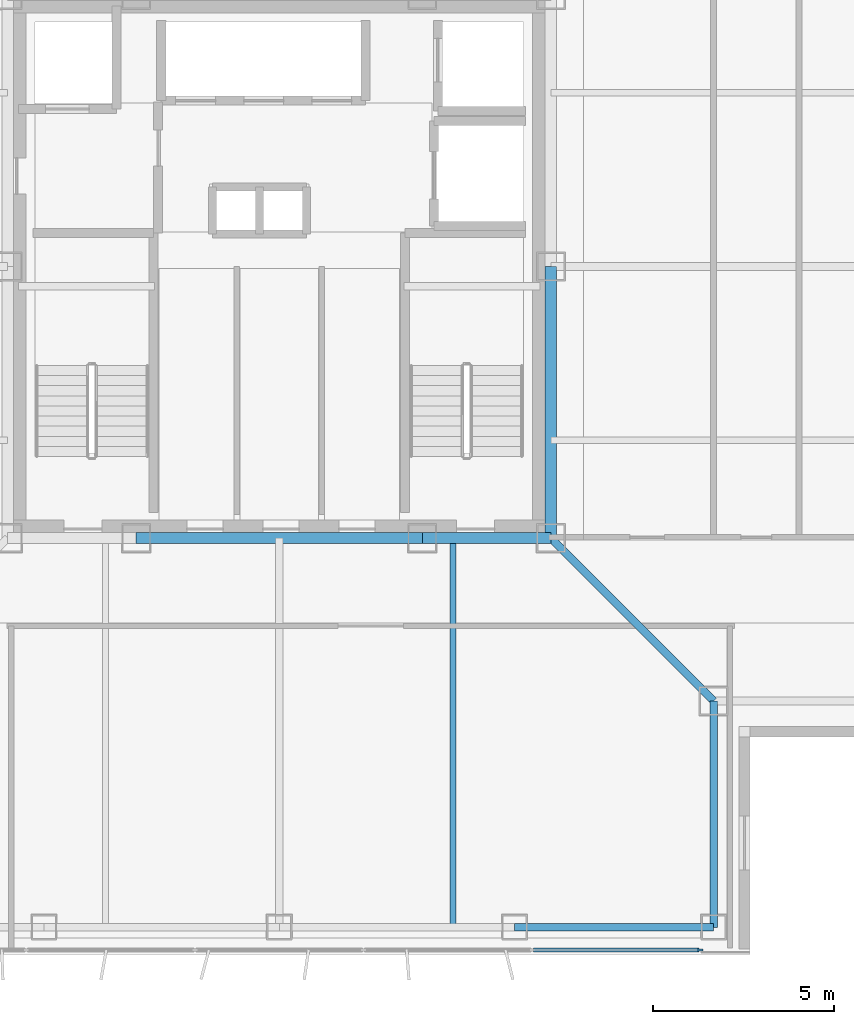
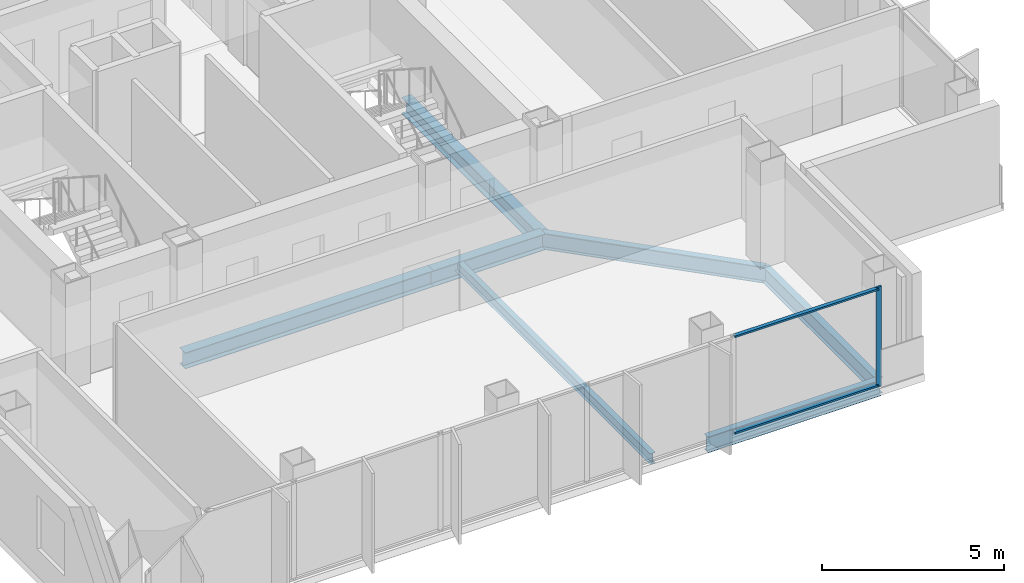
# One storey, part 3 of 15: 7 beams, 3 members, 1 element without a shape of its own.
"""IFC4 building model written with IfcOpenShell, lengths in metres."""

from ifc_helpers import new_model, si_unit, direction, frame, origin, origin_2d, place, context, subcontext, project, spatial, rectangle, i_section, extrude, material, layer, layer_set, material_profile, profile_set, type_object, element, aggregate, save


model = new_model("IFC4")

# Units and contexts
model_context = context("Model", 3, precision=1e-05, world=origin(), true_north=direction((0.0, 1.0)))
body_context = subcontext(model_context, "Body", "Model", "MODEL_VIEW")
ifc_project = project(units=[si_unit("LENGTHUNIT", "METRE"), si_unit("AREAUNIT", "SQUARE_METRE"), si_unit("VOLUMEUNIT", "CUBIC_METRE"), si_unit("PLANEANGLEUNIT", "RADIAN"), si_unit("MASSUNIT", "GRAM", prefix="KILO")], contexts=[model_context])

# Site, building, storey
site_placement = place(None, origin())
site = spatial("IfcSite", under=ifc_project, at=site_placement, CompositionType="ELEMENT")
building_placement = place(site_placement, origin())
building = spatial("IfcBuilding", under=site, at=building_placement, Name="Trevonay Congress Spire", CompositionType="ELEMENT")
storey_placement = place(building_placement, frame((0.0, 0.0, 250.39990234375)))
storey = spatial("IfcBuildingStorey", under=building, at=storey_placement, Name="L65", CompositionType="ELEMENT", Elevation=250.39990234375)

# Beams
ifc_material_1 = material(Name="Steel ASTM A572 Grade 50", Category="steel")
ifc_material_profile_1 = material_profile(ifc_material_1, i_section(OverallWidth=0.2119140625, OverallDepth=0.5439453125, WebThickness=0.01318359375, FlangeThickness=0.021240234375, FilletRadius=0.014892578125, at=origin_2d()), Name="W530x123")
ifc_profile_set_1 = profile_set([ifc_material_profile_1], Name="Steel ASTM A572 Grade 50")
beam_type_1 = type_object("IfcBeamType", Name="BM-GIRD-W530X123", PredefinedType="BEAM", material=ifc_profile_set_1)
beam_1_placement = place(storey_placement, frame((7.5, -7.5, -0.511962890625), z_axis=(0.707106781187, -0.707106781187, 0.0), x_axis=(0.707106781187, 0.707106781187, 0.0)))
element("IfcBeam", 1, at=beam_1_placement, inside=storey, type_object=beam_type_1, Name="L65 structural beam BM-L65-CDSE", PredefinedType="BEAM", context=body_context, shape_type="SweptSolid", body=[
    extrude(i_section(OverallWidth=0.2119140625, OverallDepth=0.5439453125, WebThickness=0.01318359375, FlangeThickness=0.021240234375, FilletRadius=0.014892578125, at=origin_2d()), origin(), (0.0, 0.0, 1.0), 6.364013671875),
])
ifc_material_profile_2 = material_profile(ifc_material_1, i_section(OverallWidth=0.31201171875, OverallDepth=0.54296875, WebThickness=0.0126953125, FlangeThickness=0.020263671875, FilletRadius=0.014892578125, at=origin_2d()), Name="W530x150")
ifc_profile_set_2 = profile_set([ifc_material_profile_2], Name="Steel ASTM A572 Grade 50")
beam_type_2 = type_object("IfcBeamType", Name="BM-GIRD-W530X150", PredefinedType="BEAM", material=ifc_profile_set_2)
beam_2_placement = place(storey_placement, frame((-3.949951171875, -7.5, -0.511474609375), z_axis=(1.0, 0.0, 0.0), x_axis=(0.0, 1.0, 0.0)))
element("IfcBeam", 2, at=beam_2_placement, inside=storey, type_object=beam_type_2, Name="L65 structural beam BM-L65-CR-S2", PredefinedType="BEAM", context=body_context, shape_type="SweptSolid", body=[
    extrude(i_section(OverallWidth=0.31201171875, OverallDepth=0.54296875, WebThickness=0.0126953125, FlangeThickness=0.020263671875, FilletRadius=0.014892578125, at=origin_2d()), origin(), (0.0, 0.0, 1.0), 7.89990234375),
])
beam_3_placement = place(storey_placement, frame((3.949951171875, -7.5, -0.511474609375), z_axis=(1.0, 0.0, 0.0), x_axis=(0.0, 1.0, 0.0)))
element("IfcBeam", 3, at=beam_3_placement, inside=storey, type_object=beam_type_2, Name="L65 structural beam BM-L65-CR-S3", PredefinedType="BEAM", context=body_context, shape_type="SweptSolid", body=[
    extrude(i_section(OverallWidth=0.31201171875, OverallDepth=0.54296875, WebThickness=0.0126953125, FlangeThickness=0.020263671875, FilletRadius=0.014892578125, at=origin_2d()), origin(), (0.0, 0.0, 1.0), 3.550048828125),
])
beam_4_placement = place(storey_placement, frame((7.5, -7.5, -0.511474609375), z_axis=(0.0, 1.0, 0.0), x_axis=(-1.0, 0.0, 0.0)))
element("IfcBeam", 4, at=beam_4_placement, inside=storey, type_object=beam_type_2, Name="L65 structural beam BM-L65-CR-E1", PredefinedType="BEAM", context=body_context, shape_type="SweptSolid", body=[
    extrude(i_section(OverallWidth=0.31201171875, OverallDepth=0.54296875, WebThickness=0.0126953125, FlangeThickness=0.020263671875, FilletRadius=0.014892578125, at=origin_2d()), origin(), (0.0, 0.0, 1.0), 7.5),
])
ifc_material_profile_3 = material_profile(ifc_material_1, i_section(OverallWidth=0.208984375, OverallDepth=0.532958984375, WebThickness=0.01025390625, FlangeThickness=0.015625, FilletRadius=0.014892578125, at=origin_2d()), Name="W530x92")
ifc_profile_set_3 = profile_set([ifc_material_profile_3], Name="Steel ASTM A572 Grade 50")
beam_type_3 = type_object("IfcBeamType", Name="BM-RING-W530X92", PredefinedType="BEAM", material=ifc_profile_set_3)
beam_5_placement = place(storey_placement, frame((6.5, -18.25, -0.50634765625), z_axis=(1.0, 0.0, 0.0), x_axis=(0.0, 1.0, 0.0)))
element("IfcBeam", 5, at=beam_5_placement, inside=storey, type_object=beam_type_3, Name="L65 structural beam BM-L65-PS4", PredefinedType="BEAM", context=body_context, shape_type="SweptSolid", body=[
    extrude(i_section(OverallWidth=0.208984375, OverallDepth=0.532958984375, WebThickness=0.01025390625, FlangeThickness=0.015625, FilletRadius=0.014892578125, at=origin_2d()), origin(), (0.0, 0.0, 1.0), 5.5),
])
beam_6_placement = place(storey_placement, frame((12.0, -18.25, -0.50634765625), z_axis=(0.0, 1.0, 0.0), x_axis=(-1.0, 0.0, 0.0)))
element("IfcBeam", 6, at=beam_6_placement, inside=storey, type_object=beam_type_3, Name="L65 structural beam BM-L65-N1SE", PredefinedType="BEAM", context=body_context, shape_type="SweptSolid", body=[
    extrude(i_section(OverallWidth=0.208984375, OverallDepth=0.532958984375, WebThickness=0.01025390625, FlangeThickness=0.015625, FilletRadius=0.014892578125, at=origin_2d()), origin(), (0.0, 0.0, 1.0), 6.25),
])

# Curtain wall, members
ifc_material_2 = material(Name="Pale Anodised Aluminium EN AW-6063-T6", Category="aluminium")
ifc_layer = layer(ifc_material_2, 0.1650390625, Name="Pale Anodised Aluminium EN AW-6063-T6")
ifc_layer_set = layer_set([ifc_layer], Name="Pale Anodised Aluminium EN AW-6063-T6")
curtain_wall_type = type_object("IfcCurtainWallType", Name="CW-SYS05-DIPLOM-PALE-METAL", PredefinedType="NOTDEFINED", material=ifc_layer_set)
curtain_wall_placement = place(storey_placement, origin())
curtain_wall = element("IfcCurtainWall", 7, at=curtain_wall_placement, inside=storey, type_object=curtain_wall_type, Name="L65 S unitised curtain wall", PredefinedType="NOTDEFINED")
ifc_material_profile_4 = material_profile(ifc_material_2, rectangle(XDim=0.06005859375, YDim=0.159912109375, at=origin_2d()), Name="CW-MULLION-160-ALUMINIUM")
ifc_profile_set_4 = profile_set([ifc_material_profile_4], Name="Pale Anodised Aluminium EN AW-6063-T6")
member_type_1 = type_object("IfcMemberType", Name="CW-MULLION-160-ALUMINIUM", PredefinedType="MULLION", material=ifc_profile_set_4)
member_1_placement = place(storey_placement, frame((11.6201171875, -18.8798828125, 0.0), z_axis=(0.0, 0.0, 1.0), x_axis=(0.0, 1.0, 0.0)))
member_1 = element("IfcMember", 8, at=member_1_placement, type_object=member_type_1, Name="CW05 mullion 6", PredefinedType="MULLION", context=body_context, shape_type="SweptSolid", body=[
    extrude(rectangle(XDim=0.06005859375, YDim=0.159912109375, at=origin_2d()), origin(), (0.0, 0.0, 1.0), 3.360107421875),
])
ifc_material_profile_5 = material_profile(ifc_material_2, rectangle(XDim=0.1201171875, YDim=0.06005859375, at=origin_2d()), Name="CW-TRANSOM-120-ALUMINIUM")
ifc_profile_set_5 = profile_set([ifc_material_profile_5], Name="Pale Anodised Aluminium EN AW-6063-T6")
member_type_2 = type_object("IfcMemberType", Name="CW-TRANSOM-120-ALUMINIUM", PredefinedType="USERDEFINED", material=ifc_profile_set_5)
member_2_placement = place(storey_placement, frame((7.02001953125, -18.8798828125, 0.06005859375), z_axis=(1.0, 0.0, 0.0), x_axis=(0.0, 1.0, 0.0)))
member_2 = element("IfcMember", 9, at=member_2_placement, type_object=member_type_2, Name="CW05 transom 5.1", ObjectType="TRANSOM", PredefinedType="USERDEFINED", context=body_context, shape_type="SweptSolid", body=[
    extrude(rectangle(XDim=0.1201171875, YDim=0.06005859375, at=origin_2d()), origin(), (0.0, 0.0, 1.0), 4.570068359375),
])
member_3_placement = place(storey_placement, frame((7.02001953125, -18.8798828125, 3.300048828125), z_axis=(1.0, 0.0, 0.0), x_axis=(0.0, 1.0, 0.0)))
member_3 = element("IfcMember", 10, at=member_3_placement, type_object=member_type_2, Name="CW05 transom 5.2", ObjectType="TRANSOM", PredefinedType="USERDEFINED", context=body_context, shape_type="SweptSolid", body=[
    extrude(rectangle(XDim=0.1201171875, YDim=0.06005859375, at=origin_2d()), origin(), (0.0, 0.0, 1.0), 4.570068359375),
])
aggregate(curtain_wall, [member_1, member_2, member_3])

# Beam
ifc_material_profile_6 = material_profile(ifc_material_1, i_section(OverallWidth=0.172119140625, OverallDepth=0.35791015625, WebThickness=0.0078125, FlangeThickness=0.01318359375, FilletRadius=0.011962890625, at=origin_2d()), Name="W360x57.8")
ifc_profile_set_6 = profile_set([ifc_material_profile_6], Name="Steel ASTM A572 Grade 50")
beam_type_4 = type_object("IfcBeamType", Name="JS-COMP-W360X57", PredefinedType="JOIST", material=ifc_profile_set_6)
beam_7_placement = place(storey_placement, frame((4.800048828125, -18.25, -0.4189453125), z_axis=(0.0, 1.0, 0.0), x_axis=(-1.0, 0.0, 0.0)))
element("IfcBeam", 11, at=beam_7_placement, inside=storey, type_object=beam_type_4, Name="L65 structural beam JS-L65-NS-S3", PredefinedType="JOIST", context=body_context, shape_type="SweptSolid", body=[
    extrude(i_section(OverallWidth=0.172119140625, OverallDepth=0.35791015625, WebThickness=0.0078125, FlangeThickness=0.01318359375, FilletRadius=0.011962890625, at=origin_2d()), origin(), (0.0, 0.0, 1.0), 10.75),
])

save(model, "model.ifc")
